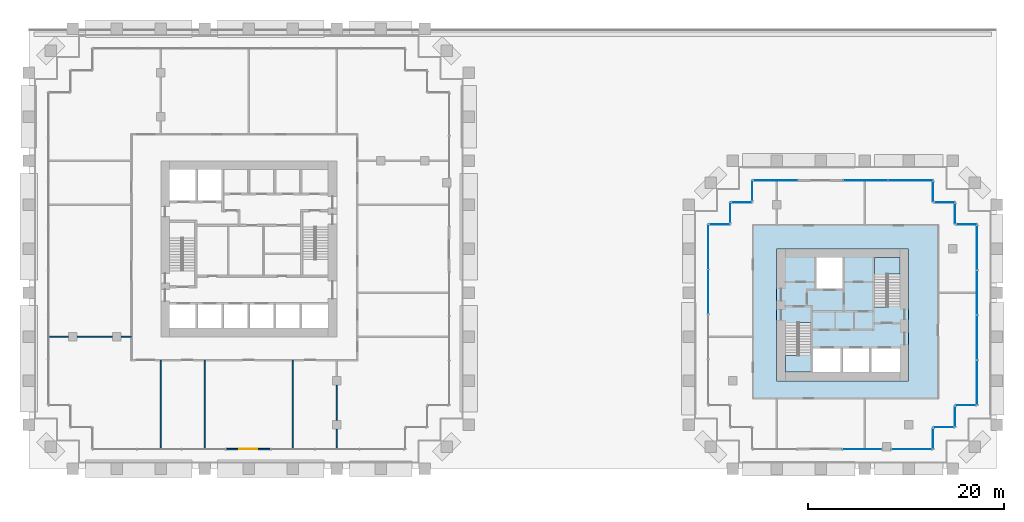
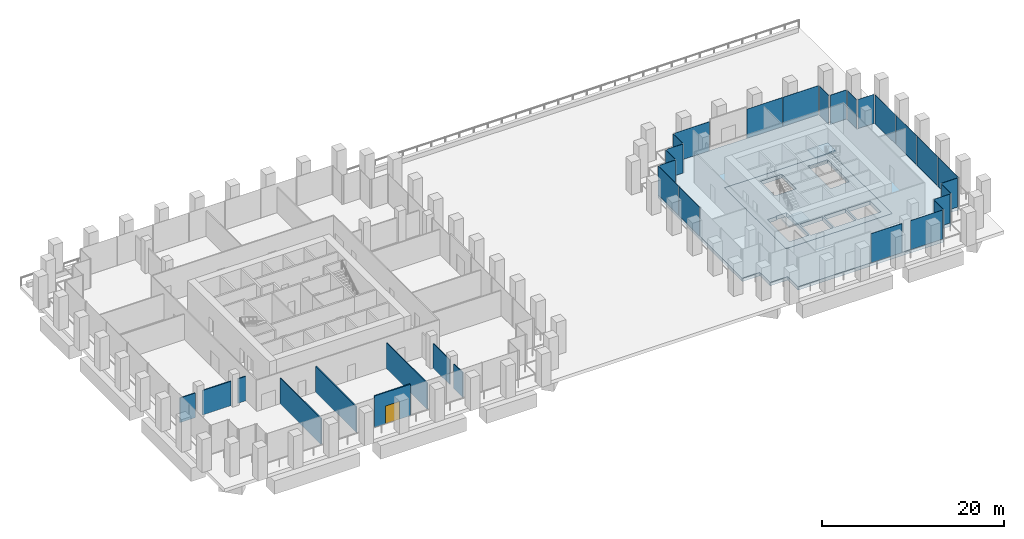
# One storey, part 24 of 32: 23 plates, 9 walls, 4 slabs, 1 door, 1 opening, 20 elements without a shape of their own.
"""IFC4 building model written with IfcOpenShell, lengths in metres."""

from ifc_helpers import new_model, si_unit, direction, frame, frame_2d, origin, origin_2d, place, context, subcontext, project, spatial, polyline, rectangle, outline, extrude, material, layer, layer_set, type_object, element, fill, aggregate, save


model = new_model("IFC4")

# Units and contexts
model_context = context("Model", 3, precision=1e-05, world=origin(), true_north=direction((0.0, 1.0)))
body_context = subcontext(model_context, "Body", "Model", "MODEL_VIEW")
ifc_project = project(units=[si_unit("LENGTHUNIT", "METRE"), si_unit("AREAUNIT", "SQUARE_METRE"), si_unit("VOLUMEUNIT", "CUBIC_METRE"), si_unit("PLANEANGLEUNIT", "RADIAN"), si_unit("MASSUNIT", "GRAM", prefix="KILO")], contexts=[model_context])

# Site, building, storey
site_placement = place(None, origin())
site = spatial("IfcSite", under=ifc_project, at=site_placement, CompositionType="ELEMENT")
building_placement = place(site_placement, origin())
building = spatial("IfcBuilding", under=site, at=building_placement, Name="Altepetl Exchange Towers", CompositionType="ELEMENT")
storey_placement = place(building_placement, frame((0.0, 0.0, 21.0)))
storey = spatial("IfcBuildingStorey", under=building, at=storey_placement, Name="L04", CompositionType="ELEMENT", Elevation=21.0)

# Slabs
ifc_material_1 = material(Name="Concrete C40/50", Category="concrete")
ifc_layer_1 = layer(ifc_material_1, 0.449951171875)
ifc_layer_set_1 = layer_set([ifc_layer_1], Name="Concrete C40/50")
slab_type_1 = type_object("IfcSlabType", Name="Composite floor slab 450", PredefinedType="FLOOR", material=ifc_layer_set_1)
slab_1_placement = place(storey_placement, frame((0.0, 0.0, -0.449951171875)))
element("IfcSlab", 1, at=slab_1_placement, inside=storey, type_object=slab_type_1, Name="slab:B:L04:strip0", PredefinedType="FLOOR", context=body_context, shape_type="SweptSolid", body=[
    extrude(outline(polyline([(98.75, 54.25), (98.75, 52.0), (96.5, 52.0), (96.5, 33.5), (98.75, 33.5), (98.75, 31.25), (101.0, 31.25), (101.0, 29.0), (119.5, 29.0), (119.5, 31.25), (121.75, 31.25), (121.75, 33.5), (124.0, 33.5), (124.0, 52.0), (121.75, 52.0), (121.75, 54.25), (119.5, 54.25), (119.5, 56.5), (101.0, 56.5), (101.0, 54.25), (98.75, 54.25)]), holes=[polyline([(117.0, 49.5), (117.0, 36.0), (103.5, 36.0), (103.5, 49.5), (117.0, 49.5)])]), origin(), (0.0, 0.0, 1.0), 0.449951171875),
])
ifc_layer_2 = layer(ifc_material_1, 0.5)
ifc_layer_set_2 = layer_set([ifc_layer_2], Name="Concrete C40/50")
slab_type_2 = type_object("IfcSlabType", Name="Core floor slab 500", PredefinedType="FLOOR", material=ifc_layer_set_2)
slab_2_placement = place(storey_placement, frame((0.0, 0.0, -0.5)))
element("IfcSlab", 2, at=slab_2_placement, inside=storey, type_object=slab_type_2, Name="slab:B:L04:core0", PredefinedType="FLOOR", context=body_context, shape_type="SweptSolid", body=[
    extrude(outline(polyline([(103.5, 36.0), (117.0, 36.0), (117.0, 49.5), (103.5, 49.5), (103.5, 36.0)]), holes=[polyline([(107.199951171875, 36.89990234375), (107.199951171875, 39.300048828125), (110.032958984375, 39.300048828125), (110.032958984375, 36.89990234375), (107.199951171875, 36.89990234375)]), polyline([(110.23291015625, 39.300048828125), (112.967041015625, 39.300048828125), (112.967041015625, 36.89990234375), (110.23291015625, 36.89990234375), (110.23291015625, 39.300048828125)]), polyline([(113.1669921875, 39.300048828125), (116.10009765625, 39.300048828125), (116.10009765625, 36.89990234375), (113.1669921875, 36.89990234375), (113.1669921875, 39.300048828125)]), polyline([(107.0, 37.0), (104.5, 37.0), (104.5, 41.85009765625), (105.64990234375, 41.85009765625), (105.64990234375, 41.948974609375), (107.0, 41.948974609375), (107.0, 37.0)]), polyline([(116.0, 48.5), (116.0, 43.64990234375), (114.85009765625, 43.64990234375), (114.85009765625, 43.551025390625), (113.5, 43.551025390625), (113.5, 48.5), (116.0, 48.5)]), polyline([(107.532958984375, 48.60009765625), (110.26708984375, 48.60009765625), (110.26708984375, 45.39990234375), (107.532958984375, 45.39990234375), (107.532958984375, 48.60009765625)])]), origin(), (0.0, 0.0, 1.0), 0.5),
])

# Curtain wall, plate
ifc_material_2 = material(Name="Aluminium 6063-T6 glazing", Category="aluminium")
curtain_wall_type = type_object("IfcCurtainWallType", Name="Trading floor glazing system", PredefinedType="NOTDEFINED", material=ifc_material_2)
curtain_wall_1_placement = place(storey_placement, origin())
curtain_wall_1 = element("IfcCurtainWall", 3, at=curtain_wall_1_placement, inside=storey, type_object=curtain_wall_type, Name="CW2 run", PredefinedType="NOTDEFINED")
ifc_material_3 = material(Name="Glass 8-20-8 solar control", Category="glass")
ifc_layer_3 = layer(ifc_material_3, 0.035888671875)
ifc_layer_set_3 = layer_set([ifc_layer_3], Name="Glass 8-20-8 solar control")
plate_type = type_object("IfcPlateType", Name="Glass panel 36 double glazed", PredefinedType="CURTAIN_PANEL", material=ifc_layer_set_3)
plate_1_placement = place(storey_placement, frame((97.675048828125, 52.0, 0.0), z_axis=(0.0, 0.0, 1.0), x_axis=(-1.0, 0.0, 0.0)))
plate_1 = element("IfcPlate", 4, at=plate_1_placement, type_object=plate_type, Name="GP2 panel", PredefinedType="CURTAIN_PANEL", context=body_context, shape_type="SweptSolid", body=[
    extrude(rectangle(XDim=2.030029296875, YDim=0.035888671875, at=origin_2d()), origin(), (0.0, 0.0, 1.0), 3.89990234375),
])
aggregate(curtain_wall_1, [plate_1])

# Curtain wall, plates
curtain_wall_2_placement = place(storey_placement, origin())
curtain_wall_2 = element("IfcCurtainWall", 5, at=curtain_wall_2_placement, inside=storey, type_object=curtain_wall_type, Name="CW2 run", PredefinedType="NOTDEFINED")
plate_2_placement = place(storey_placement, frame((96.5, 49.68505859375, 0.0), z_axis=(0.0, 0.0, 1.0), x_axis=(0.0, -1.0, 0.0)))
plate_2 = element("IfcPlate", 6, at=plate_2_placement, type_object=plate_type, Name="GP2 panel", PredefinedType="CURTAIN_PANEL", context=body_context, shape_type="SweptSolid", body=[
    extrude(rectangle(XDim=4.510009765625, YDim=0.035888671875, at=origin_2d()), origin(), (0.0, 0.0, 1.0), 3.89990234375),
])
plate_3_placement = place(storey_placement, frame((96.5, 45.10009765625, 0.0), z_axis=(0.0, 0.0, 1.0), x_axis=(0.0, -1.0, 0.0)))
plate_3 = element("IfcPlate", 7, at=plate_3_placement, type_object=plate_type, Name="GP2 panel", PredefinedType="CURTAIN_PANEL", context=body_context, shape_type="SweptSolid", body=[
    extrude(rectangle(XDim=4.5400390625, YDim=0.035888671875, at=origin_2d()), origin(), (0.0, 0.0, 1.0), 3.89990234375),
])
aggregate(curtain_wall_2, [plate_2, plate_3])

# Curtain wall, plate
curtain_wall_3_placement = place(storey_placement, origin())
curtain_wall_3 = element("IfcCurtainWall", 8, at=curtain_wall_3_placement, inside=storey, type_object=curtain_wall_type, Name="CW2 run", PredefinedType="NOTDEFINED")
plate_4_placement = place(storey_placement, frame((112.239990234375, 29.0, 0.0)))
plate_4 = element("IfcPlate", 9, at=plate_4_placement, type_object=plate_type, Name="GP2 panel", PredefinedType="CURTAIN_PANEL", context=body_context, shape_type="SweptSolid", body=[
    extrude(rectangle(XDim=3.9599609375, YDim=0.035888671875, at=origin_2d()), origin(), (0.0, 0.0, 1.0), 3.89990234375),
])
aggregate(curtain_wall_3, [plate_4])

curtain_wall_4_placement = place(storey_placement, origin())
curtain_wall_4 = element("IfcCurtainWall", 10, at=curtain_wall_4_placement, inside=storey, type_object=curtain_wall_type, Name="CW2 run", PredefinedType="NOTDEFINED")
plate_5_placement = place(storey_placement, frame((117.31005859375, 29.0, 0.0)))
plate_5 = element("IfcPlate", 11, at=plate_5_placement, type_object=plate_type, Name="GP2 panel", PredefinedType="CURTAIN_PANEL", context=body_context, shape_type="SweptSolid", body=[
    extrude(rectangle(XDim=4.06005859375, YDim=0.035888671875, at=origin_2d()), origin(), (0.0, 0.0, 1.0), 3.89990234375),
])
aggregate(curtain_wall_4, [plate_5])

curtain_wall_5_placement = place(storey_placement, origin())
curtain_wall_5 = element("IfcCurtainWall", 12, at=curtain_wall_5_placement, inside=storey, type_object=curtain_wall_type, Name="CW2 run", PredefinedType="NOTDEFINED")
plate_6_placement = place(storey_placement, frame((119.5, 30.074951171875, 0.0), z_axis=(0.0, 0.0, 1.0), x_axis=(0.0, 1.0, 0.0)))
plate_6 = element("IfcPlate", 13, at=plate_6_placement, type_object=plate_type, Name="GP2 panel", PredefinedType="CURTAIN_PANEL", context=body_context, shape_type="SweptSolid", body=[
    extrude(rectangle(XDim=2.030029296875, YDim=0.035888671875, at=origin_2d()), origin(), (0.0, 0.0, 1.0), 3.89990234375),
])
aggregate(curtain_wall_5, [plate_6])

curtain_wall_6_placement = place(storey_placement, origin())
curtain_wall_6 = element("IfcCurtainWall", 14, at=curtain_wall_6_placement, inside=storey, type_object=curtain_wall_type, Name="CW2 run", PredefinedType="NOTDEFINED")
plate_7_placement = place(storey_placement, frame((120.574951171875, 31.25, 0.0)))
plate_7 = element("IfcPlate", 15, at=plate_7_placement, type_object=plate_type, Name="GP2 panel", PredefinedType="CURTAIN_PANEL", context=body_context, shape_type="SweptSolid", body=[
    extrude(rectangle(XDim=2.030029296875, YDim=0.035888671875, at=origin_2d()), origin(), (0.0, 0.0, 1.0), 3.89990234375),
])
aggregate(curtain_wall_6, [plate_7])

curtain_wall_7_placement = place(storey_placement, origin())
curtain_wall_7 = element("IfcCurtainWall", 16, at=curtain_wall_7_placement, inside=storey, type_object=curtain_wall_type, Name="CW2 run", PredefinedType="NOTDEFINED")
plate_8_placement = place(storey_placement, frame((121.75, 32.324951171875, 0.0), z_axis=(0.0, 0.0, 1.0), x_axis=(0.0, 1.0, 0.0)))
plate_8 = element("IfcPlate", 17, at=plate_8_placement, type_object=plate_type, Name="GP2 panel", PredefinedType="CURTAIN_PANEL", context=body_context, shape_type="SweptSolid", body=[
    extrude(rectangle(XDim=2.030029296875, YDim=0.035888671875, at=origin_2d()), origin(), (0.0, 0.0, 1.0), 3.89990234375),
])
aggregate(curtain_wall_7, [plate_8])

curtain_wall_8_placement = place(storey_placement, origin())
curtain_wall_8 = element("IfcCurtainWall", 18, at=curtain_wall_8_placement, inside=storey, type_object=curtain_wall_type, Name="CW2 run", PredefinedType="NOTDEFINED")
plate_9_placement = place(storey_placement, frame((122.824951171875, 33.5, 0.0)))
plate_9 = element("IfcPlate", 19, at=plate_9_placement, type_object=plate_type, Name="GP2 panel", PredefinedType="CURTAIN_PANEL", context=body_context, shape_type="SweptSolid", body=[
    extrude(rectangle(XDim=2.030029296875, YDim=0.035888671875, at=origin_2d()), origin(), (0.0, 0.0, 1.0), 3.89990234375),
])
aggregate(curtain_wall_8, [plate_9])

# Curtain wall, plates
curtain_wall_9_placement = place(storey_placement, origin())
curtain_wall_9 = element("IfcCurtainWall", 20, at=curtain_wall_9_placement, inside=storey, type_object=curtain_wall_type, Name="CW2 run", PredefinedType="NOTDEFINED")
plate_10_placement = place(storey_placement, frame((124.0, 35.81494140625, 0.0), z_axis=(0.0, 0.0, 1.0), x_axis=(0.0, 1.0, 0.0)))
plate_10 = element("IfcPlate", 21, at=plate_10_placement, type_object=plate_type, Name="GP2 panel", PredefinedType="CURTAIN_PANEL", context=body_context, shape_type="SweptSolid", body=[
    extrude(rectangle(XDim=4.510009765625, YDim=0.035888671875, at=origin_2d()), origin(), (0.0, 0.0, 1.0), 3.89990234375),
])
plate_11_placement = place(storey_placement, frame((124.0, 40.39990234375, 0.0), z_axis=(0.0, 0.0, 1.0), x_axis=(0.0, 1.0, 0.0)))
plate_11 = element("IfcPlate", 22, at=plate_11_placement, type_object=plate_type, Name="GP2 panel", PredefinedType="CURTAIN_PANEL", context=body_context, shape_type="SweptSolid", body=[
    extrude(rectangle(XDim=4.5400390625, YDim=0.035888671875, at=origin_2d()), origin(), (0.0, 0.0, 1.0), 3.89990234375),
])
plate_12_placement = place(storey_placement, frame((124.0, 45.0, 0.0), z_axis=(0.0, 0.0, 1.0), x_axis=(0.0, 1.0, 0.0)))
plate_12 = element("IfcPlate", 23, at=plate_12_placement, type_object=plate_type, Name="GP2 panel", PredefinedType="CURTAIN_PANEL", context=body_context, shape_type="SweptSolid", body=[
    extrude(rectangle(XDim=4.5400390625, YDim=0.035888671875, at=origin_2d()), origin(), (0.0, 0.0, 1.0), 3.89990234375),
])
plate_13_placement = place(storey_placement, frame((124.0, 49.5849609375, 0.0), z_axis=(0.0, 0.0, 1.0), x_axis=(0.0, 1.0, 0.0)))
plate_13 = element("IfcPlate", 24, at=plate_13_placement, type_object=plate_type, Name="GP2 panel", PredefinedType="CURTAIN_PANEL", context=body_context, shape_type="SweptSolid", body=[
    extrude(rectangle(XDim=4.510009765625, YDim=0.035888671875, at=origin_2d()), origin(), (0.0, 0.0, 1.0), 3.89990234375),
])
aggregate(curtain_wall_9, [plate_10, plate_11, plate_12, plate_13])

# Curtain wall, plate
curtain_wall_10_placement = place(storey_placement, origin())
curtain_wall_10 = element("IfcCurtainWall", 25, at=curtain_wall_10_placement, inside=storey, type_object=curtain_wall_type, Name="CW2 run", PredefinedType="NOTDEFINED")
plate_14_placement = place(storey_placement, frame((122.925048828125, 52.0, 0.0), z_axis=(0.0, 0.0, 1.0), x_axis=(-1.0, 0.0, 0.0)))
plate_14 = element("IfcPlate", 26, at=plate_14_placement, type_object=plate_type, Name="GP2 panel", PredefinedType="CURTAIN_PANEL", context=body_context, shape_type="SweptSolid", body=[
    extrude(rectangle(XDim=2.030029296875, YDim=0.035888671875, at=origin_2d()), origin(), (0.0, 0.0, 1.0), 3.89990234375),
])
aggregate(curtain_wall_10, [plate_14])

curtain_wall_11_placement = place(storey_placement, origin())
curtain_wall_11 = element("IfcCurtainWall", 27, at=curtain_wall_11_placement, inside=storey, type_object=curtain_wall_type, Name="CW2 run", PredefinedType="NOTDEFINED")
plate_15_placement = place(storey_placement, frame((121.75, 53.074951171875, 0.0), z_axis=(0.0, 0.0, 1.0), x_axis=(0.0, 1.0, 0.0)))
plate_15 = element("IfcPlate", 28, at=plate_15_placement, type_object=plate_type, Name="GP2 panel", PredefinedType="CURTAIN_PANEL", context=body_context, shape_type="SweptSolid", body=[
    extrude(rectangle(XDim=2.030029296875, YDim=0.035888671875, at=origin_2d()), origin(), (0.0, 0.0, 1.0), 3.89990234375),
])
aggregate(curtain_wall_11, [plate_15])

curtain_wall_12_placement = place(storey_placement, origin())
curtain_wall_12 = element("IfcCurtainWall", 29, at=curtain_wall_12_placement, inside=storey, type_object=curtain_wall_type, Name="CW2 run", PredefinedType="NOTDEFINED")
plate_16_placement = place(storey_placement, frame((120.675048828125, 54.25, 0.0), z_axis=(0.0, 0.0, 1.0), x_axis=(-1.0, 0.0, 0.0)))
plate_16 = element("IfcPlate", 30, at=plate_16_placement, type_object=plate_type, Name="GP2 panel", PredefinedType="CURTAIN_PANEL", context=body_context, shape_type="SweptSolid", body=[
    extrude(rectangle(XDim=2.030029296875, YDim=0.035888671875, at=origin_2d()), origin(), (0.0, 0.0, 1.0), 3.89990234375),
])
aggregate(curtain_wall_12, [plate_16])

curtain_wall_13_placement = place(storey_placement, origin())
curtain_wall_13 = element("IfcCurtainWall", 31, at=curtain_wall_13_placement, inside=storey, type_object=curtain_wall_type, Name="CW2 run", PredefinedType="NOTDEFINED")
plate_17_placement = place(storey_placement, frame((119.5, 55.324951171875, 0.0), z_axis=(0.0, 0.0, 1.0), x_axis=(0.0, 1.0, 0.0)))
plate_17 = element("IfcPlate", 32, at=plate_17_placement, type_object=plate_type, Name="GP2 panel", PredefinedType="CURTAIN_PANEL", context=body_context, shape_type="SweptSolid", body=[
    extrude(rectangle(XDim=2.030029296875, YDim=0.035888671875, at=origin_2d()), origin(), (0.0, 0.0, 1.0), 3.89990234375),
])
aggregate(curtain_wall_13, [plate_17])

# Curtain wall, plates
curtain_wall_14_placement = place(storey_placement, origin())
curtain_wall_14 = element("IfcCurtainWall", 33, at=curtain_wall_14_placement, inside=storey, type_object=curtain_wall_type, Name="CW2 run", PredefinedType="NOTDEFINED")
plate_18_placement = place(storey_placement, frame((117.18505859375, 56.5, 0.0), z_axis=(0.0, 0.0, 1.0), x_axis=(-1.0, 0.0, 0.0)))
plate_18 = element("IfcPlate", 34, at=plate_18_placement, type_object=plate_type, Name="GP2 panel", PredefinedType="CURTAIN_PANEL", context=body_context, shape_type="SweptSolid", body=[
    extrude(rectangle(XDim=4.510009765625, YDim=0.035888671875, at=origin_2d()), origin(), (0.0, 0.0, 1.0), 3.89990234375),
])
plate_19_placement = place(storey_placement, frame((112.614990234375, 56.5, 0.0), z_axis=(0.0, 0.0, 1.0), x_axis=(-1.0, 0.0, 0.0)))
plate_19 = element("IfcPlate", 35, at=plate_19_placement, type_object=plate_type, Name="GP2 panel", PredefinedType="CURTAIN_PANEL", context=body_context, shape_type="SweptSolid", body=[
    extrude(rectangle(XDim=4.510009765625, YDim=0.035888671875, at=origin_2d()), origin(), (0.0, 0.0, 1.0), 3.89990234375),
])
aggregate(curtain_wall_14, [plate_18, plate_19])

# Curtain wall, plate
curtain_wall_15_placement = place(storey_placement, origin())
curtain_wall_15 = element("IfcCurtainWall", 36, at=curtain_wall_15_placement, inside=storey, type_object=curtain_wall_type, Name="CW2 run", PredefinedType="NOTDEFINED")
plate_20_placement = place(storey_placement, frame((103.39990234375, 56.5, 0.0), z_axis=(0.0, 0.0, 1.0), x_axis=(-1.0, 0.0, 0.0)))
plate_20 = element("IfcPlate", 37, at=plate_20_placement, type_object=plate_type, Name="GP2 panel", PredefinedType="CURTAIN_PANEL", context=body_context, shape_type="SweptSolid", body=[
    extrude(rectangle(XDim=4.47998046875, YDim=0.035888671875, at=origin_2d()), origin(), (0.0, 0.0, 1.0), 3.89990234375),
])
aggregate(curtain_wall_15, [plate_20])

curtain_wall_16_placement = place(storey_placement, origin())
curtain_wall_16 = element("IfcCurtainWall", 38, at=curtain_wall_16_placement, inside=storey, type_object=curtain_wall_type, Name="CW2 run", PredefinedType="NOTDEFINED")
plate_21_placement = place(storey_placement, frame((101.0, 55.425048828125, 0.0), z_axis=(0.0, 0.0, 1.0), x_axis=(0.0, -1.0, 0.0)))
plate_21 = element("IfcPlate", 39, at=plate_21_placement, type_object=plate_type, Name="GP2 panel", PredefinedType="CURTAIN_PANEL", context=body_context, shape_type="SweptSolid", body=[
    extrude(rectangle(XDim=2.030029296875, YDim=0.035888671875, at=origin_2d()), origin(), (0.0, 0.0, 1.0), 3.89990234375),
])
aggregate(curtain_wall_16, [plate_21])

curtain_wall_17_placement = place(storey_placement, origin())
curtain_wall_17 = element("IfcCurtainWall", 40, at=curtain_wall_17_placement, inside=storey, type_object=curtain_wall_type, Name="CW2 run", PredefinedType="NOTDEFINED")
plate_22_placement = place(storey_placement, frame((99.925048828125, 54.25, 0.0), z_axis=(0.0, 0.0, 1.0), x_axis=(-1.0, 0.0, 0.0)))
plate_22 = element("IfcPlate", 41, at=plate_22_placement, type_object=plate_type, Name="GP2 panel", PredefinedType="CURTAIN_PANEL", context=body_context, shape_type="SweptSolid", body=[
    extrude(rectangle(XDim=2.030029296875, YDim=0.035888671875, at=origin_2d()), origin(), (0.0, 0.0, 1.0), 3.89990234375),
])
aggregate(curtain_wall_17, [plate_22])

curtain_wall_18_placement = place(storey_placement, origin())
curtain_wall_18 = element("IfcCurtainWall", 42, at=curtain_wall_18_placement, inside=storey, type_object=curtain_wall_type, Name="CW2 run", PredefinedType="NOTDEFINED")
plate_23_placement = place(storey_placement, frame((98.75, 53.175048828125, 0.0), z_axis=(0.0, 0.0, 1.0), x_axis=(0.0, -1.0, 0.0)))
plate_23 = element("IfcPlate", 43, at=plate_23_placement, type_object=plate_type, Name="GP2 panel", PredefinedType="CURTAIN_PANEL", context=body_context, shape_type="SweptSolid", body=[
    extrude(rectangle(XDim=2.030029296875, YDim=0.035888671875, at=origin_2d()), origin(), (0.0, 0.0, 1.0), 3.89990234375),
])
aggregate(curtain_wall_18, [plate_23])

# Stair, slab
stair_type = type_object("IfcStairType", Name="Exit stair 1250 flights dogleg", PredefinedType="HALF_TURN_STAIR", material=ifc_material_1)
stair_1_placement = place(storey_placement, origin())
stair_1 = element("IfcStair", 44, at=stair_1_placement, inside=storey, type_object=stair_type, Name="Exit stair 1", PredefinedType="HALF_TURN_STAIR")
ifc_layer_4 = layer(ifc_material_1, 0.199951171875)
ifc_layer_set_4 = layer_set([ifc_layer_4], Name="Concrete C40/50")
slab_type_3 = type_object("IfcSlabType", Name="Stair landing 200 reinforced concrete", PredefinedType="LANDING", material=ifc_layer_set_4)
slab_3_placement = place(storey_placement, frame((0.0, 0.0, 2.0)))
slab_3 = element("IfcSlab", 45, at=slab_3_placement, type_object=slab_type_3, Name="ST-B1b landing 1", PredefinedType="LANDING", context=body_context, shape_type="SweptSolid", body=[
    extrude(outline(polyline([(107.0, 36.89990234375), (104.39990234375, 36.89990234375), (104.39990234375, 38.590087890625), (104.39990234375, 38.5908203125), (105.64990234375, 38.5908203125), (105.64990234375, 38.590087890625), (105.75, 38.590087890625), (105.75, 38.68994140625), (107.0, 38.68994140625), (107.0, 38.590087890625), (107.0, 36.89990234375)])), origin(), (0.0, 0.0, 1.0), 0.199951171875),
])
aggregate(stair_1, [slab_3])

stair_2_placement = place(storey_placement, origin())
stair_2 = element("IfcStair", 46, at=stair_2_placement, inside=storey, type_object=stair_type, Name="Exit stair 2", PredefinedType="HALF_TURN_STAIR")
slab_4_placement = place(storey_placement, frame((0.0, 0.0, 2.0)))
slab_4 = element("IfcSlab", 47, at=slab_4_placement, type_object=slab_type_3, Name="ST-B2b landing 1", PredefinedType="LANDING", context=body_context, shape_type="SweptSolid", body=[
    extrude(outline(polyline([(114.75, 46.81005859375), (113.5, 46.81005859375), (113.5, 46.909912109375), (113.5, 48.60009765625), (116.10009765625, 48.60009765625), (116.10009765625, 46.909912109375), (116.10009765625, 46.9091796875), (114.85009765625, 46.9091796875), (114.85009765625, 46.909912109375), (114.75, 46.909912109375), (114.75, 46.81005859375)])), origin(), (0.0, 0.0, 1.0), 0.199951171875),
])
aggregate(stair_2, [slab_4])

# Wall, opening, door
ifc_material_4 = material(Name="Aluminium composite cladding", Category="aluminium")
ifc_layer_5 = layer(ifc_material_4, 0.14990234375)
ifc_layer_set_5 = layer_set([ifc_layer_5], Name="Aluminium composite cladding")
wall_type_1 = type_object("IfcWallType", Name="Infill wall 150 aluminium panel", PredefinedType="SOLIDWALL", material=ifc_layer_set_5)
wall_1_placement = place(storey_placement, frame((47.17138671875, 29.0, 0.0)))
wall_1 = element("IfcWall", 48, at=wall_1_placement, inside=storey, type_object=wall_type_1, Name="Loggia door bay wall", PredefinedType="SOLIDWALL", context=body_context, shape_type="SweptSolid", body=[
    extrude(rectangle(XDim=4.55712890625, YDim=0.14990234375, at=frame_2d((2.278564453125, 0.0))), origin(), (0.0, 0.0, 1.0), 4.22509765625),
])
opening_placement = place(wall_1_placement, frame((1.378662109375, 0.0, 0.0)))
opening = element("IfcOpeningElement", 49, at=opening_placement, cuts=wall_1, Name="Opening L04.A90", PredefinedType="OPENING", context=body_context, shape_type="SweptSolid", body=[
    extrude(rectangle(XDim=1.800048828125, YDim=2.39990234375, at=frame_2d((0.89990234375, 1.199951171875))), frame((0.0, 0.0849609375, 0.0), z_axis=(0.0, -1.0, 0.0), x_axis=(1.0, 0.0, 0.0)), (0.0, 0.0, 1.0), 0.169921875),
])
ifc_material_5 = material(Name="Aluminium 6063-T6 and glass", Category="aluminium")
door_type = type_object("IfcDoorType", Name="Glazed door pair 1800x2400", OperationType="DOUBLE_DOOR_DOUBLE_SWING", PredefinedType="NOTDEFINED", material=ifc_material_5)
door_placement = place(opening_placement, frame((1.800048828125, 0.0, 0.0), x_axis=(-1.0, 0.0, 0.0)))
door = element("IfcDoor", 50, at=door_placement, inside=storey, type_object=door_type, Name="Loggia door", OperationType="DOUBLE_DOOR_DOUBLE_SWING", OverallHeight=2.39990234375, OverallWidth=1.800048828125, PredefinedType="NOTDEFINED", context=body_context, shape_type="SweptSolid", body=[
    extrude(rectangle(XDim=1.800048828125, YDim=2.39990234375, at=frame_2d((0.89990234375, 1.199951171875))), frame((0.0, 0.02490234375, 0.0), z_axis=(0.0, -1.0, 0.0), x_axis=(1.0, 0.0, 0.0)), (0.0, 0.0, 1.0), 0.050048828125),
])
fill(opening, door)

# Walls
ifc_material_6 = material(Name="Gypsum board on steel studs", Category="steel")
ifc_layer_6 = layer(ifc_material_6, 0.125)
ifc_layer_set_6 = layer_set([ifc_layer_6], Name="Gypsum board on steel studs")
wall_type_2 = type_object("IfcWallType", Name="Partition 125 gypsum board on steel studs", PredefinedType="PARTITIONING", material=ifc_layer_set_6)
wall_2_placement = place(storey_placement, frame((29.10009765625, 40.5, 0.0)))
element("IfcWall", 51, at=wall_2_placement, inside=storey, type_object=wall_type_2, Name="wall:A:L04:P02", PredefinedType="PARTITIONING", context=body_context, shape_type="SweptSolid", body=[
    extrude(rectangle(XDim=1.949951171875, YDim=0.125, at=frame_2d((0.97509765625, 0.0))), origin(), (0.0, 0.0, 1.0), 3.302001953125),
])
wall_3_placement = place(storey_placement, frame((31.949951171875, 40.5, 0.0)))
element("IfcWall", 52, at=wall_3_placement, inside=storey, type_object=wall_type_2, Name="wall:A:L04:P03", PredefinedType="PARTITIONING", context=body_context, shape_type="SweptSolid", body=[
    extrude(rectangle(XDim=3.60009765625, YDim=0.125, at=frame_2d((1.800048828125, 0.0))), origin(), (0.0, 0.0, 1.0), 3.302001953125),
])
wall_4_placement = place(storey_placement, frame((36.449951171875, 40.5, 0.0)))
element("IfcWall", 53, at=wall_4_placement, inside=storey, type_object=wall_type_2, Name="wall:A:L04:P04", PredefinedType="PARTITIONING", context=body_context, shape_type="SweptSolid", body=[
    extrude(rectangle(XDim=1.050048828125, YDim=0.125, at=frame_2d((0.52490234375, 0.0))), origin(), (0.0, 0.0, 1.0), 3.302001953125),
])
for number, where, z_axis, x_axis, name in (
    (54, (40.5, 29.10009765625, 0.0), (0.0, 0.0, 1.0), (0.0, 1.0, 0.0), "wall:A:L04:P15"),
    (55, (45.0, 29.10009765625, 0.0), (0.0, 0.0, 1.0), (0.0, 1.0, 0.0), "wall:A:L04:P19"),
    (56, (54.0, 29.10009765625, 0.0), (0.0, 0.0, 1.0), (0.0, 1.0, 0.0), "wall:A:L04:P21"),
):
    element("IfcWall", number, at=place(storey_placement, frame(where, z_axis=z_axis, x_axis=x_axis)), inside=storey, type_object=wall_type_2, Name=name, PredefinedType="PARTITIONING", context=body_context, shape_type="SweptSolid", body=[
        extrude(rectangle(XDim=9.0, YDim=0.125, at=frame_2d((4.5, 0.0))), origin(), (0.0, 0.0, 1.0), 3.467041015625),
    ])
wall_5_placement = place(storey_placement, frame((58.5, 29.10009765625, 0.0), z_axis=(0.0, 0.0, 1.0), x_axis=(0.0, 1.0, 0.0)))
element("IfcWall", 57, at=wall_5_placement, inside=storey, type_object=wall_type_2, Name="wall:A:L04:P22", PredefinedType="PARTITIONING", context=body_context, shape_type="SweptSolid", body=[
    extrude(rectangle(XDim=1.949951171875, YDim=0.125, at=frame_2d((0.97509765625, 0.0))), origin(), (0.0, 0.0, 1.0), 3.302001953125),
])
wall_6_placement = place(storey_placement, frame((58.5, 31.949951171875, 0.0), z_axis=(0.0, 0.0, 1.0), x_axis=(0.0, 1.0, 0.0)))
element("IfcWall", 58, at=wall_6_placement, inside=storey, type_object=wall_type_2, Name="wall:A:L04:P23", PredefinedType="PARTITIONING", context=body_context, shape_type="SweptSolid", body=[
    extrude(rectangle(XDim=3.60009765625, YDim=0.125, at=frame_2d((1.800048828125, 0.0))), origin(), (0.0, 0.0, 1.0), 3.302001953125),
])

save(model, "model.ifc")
